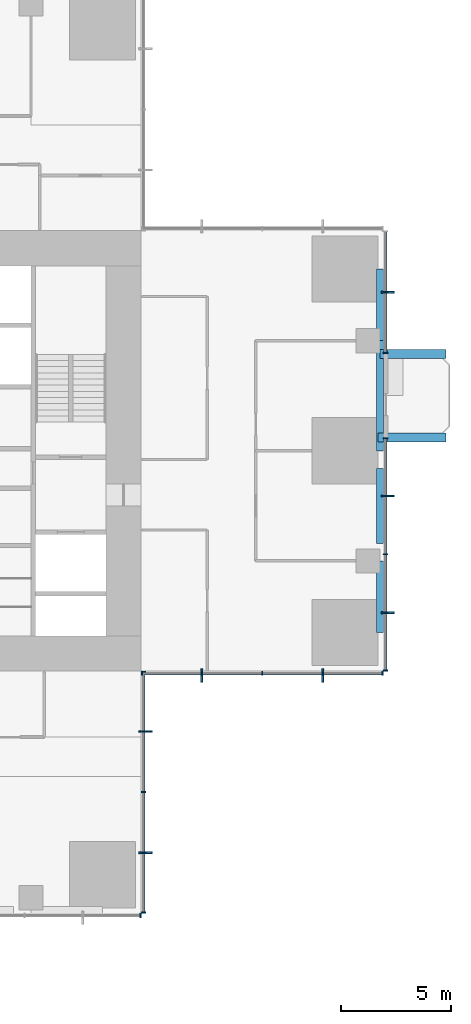
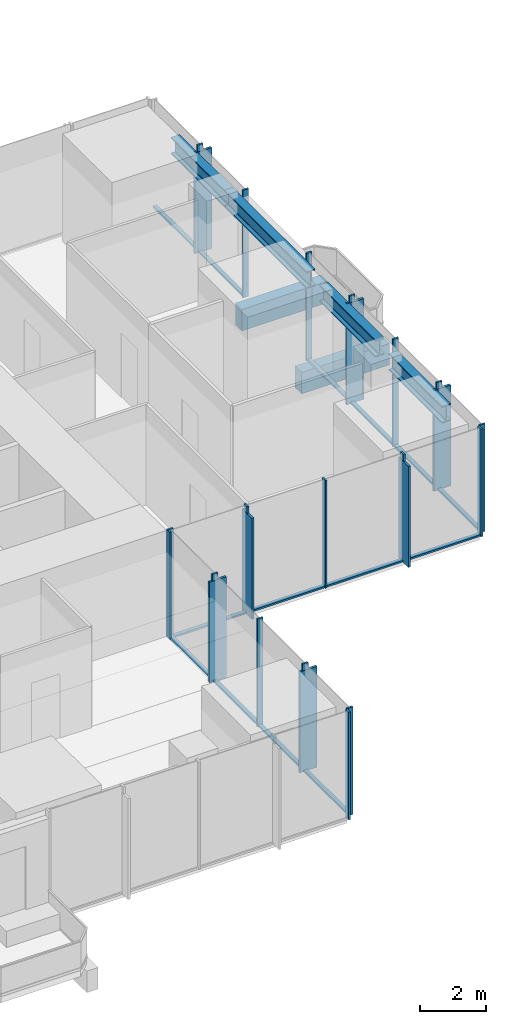
# One storey, part 4 of 13: 39 members, 6 beams, 5 elements without a shape of their own.
"""IFC4 building model written with IfcOpenShell, lengths in metres."""

import ifcopenshell
import ifcopenshell.guid

model = None  # the IFC model being written
_history = None  # IfcOwnerHistory: only IFC2X3 demands one
_inside = {}  # id of a spatial element -> (the spatial element, [elements in it])
_under = {}  # id of a project, library or spatial element -> (it, [spatial elements below it])
_declared = {}  # id of a project -> (the project, [libraries it declares])
_typed = {}  # id of a type object -> (the type object, [elements of that type])
_made_of = {}  # id of a material, layer set ... -> (it, [elements and type objects made of it])


def new_model(schema):
    """Start an empty IFC model of exactly this schema.

    Asked for "IFC4X3", IfcOpenShell would pick the latest addendum, in which some entities
    have other attributes; the version numbers below select the first issue.
    IFC2X3 requires an IfcOwnerHistory on every rooted entity: one is made here for all.
    """
    global model, _history
    if schema == "IFC4X3":
        model = ifcopenshell.file(schema_version=(4, 3, 0, 0))
    else:
        model = ifcopenshell.file(schema=schema)
    _inside.clear()
    _under.clear()
    _declared.clear()
    _typed.clear()
    _made_of.clear()
    _history = None
    if model.schema == "IFC2X3":
        org = make("IfcOrganization", Name="unknown")
        user = make(
            "IfcPersonAndOrganization",
            ThePerson=make("IfcPerson", FamilyName="unknown"),
            TheOrganization=org,
        )
        app = make(
            "IfcApplication",
            ApplicationDeveloper=org,
            Version="unknown",
            ApplicationFullName="unknown",
            ApplicationIdentifier="unknown",
        )
        _history = make(
            "IfcOwnerHistory",
            OwningUser=user,
            OwningApplication=app,
            ChangeAction="ADDED",
            CreationDate=0,
        )
    return model


def make(cls, **values):
    """One entity of the class cls with the attributes given. An attribute that is None is left unset."""
    return model.create_entity(
        cls, **{name: value for name, value in values.items() if value is not None}
    )


def rooted(cls, **values):
    """An entity with a GlobalId (a new one), such as an element, a storey or a relation."""
    return make(cls, GlobalId=ifcopenshell.guid.new(), OwnerHistory=_history, **values)


def si_unit(unit_type, name, prefix=None):
    """IfcSIUnit, for example si_unit("LENGTHUNIT", "METRE", prefix="MILLI")."""
    return make("IfcSIUnit", UnitType=unit_type, Prefix=prefix, Name=name)


def assignment(units):
    """IfcUnitAssignment: the units of a project."""
    return None if units is None else make("IfcUnitAssignment", Units=units)


def point(xyz):
    """IfcCartesianPoint."""
    return None if xyz is None else make("IfcCartesianPoint", Coordinates=xyz)


def direction(xyz):
    """IfcDirection."""
    return None if xyz is None else make("IfcDirection", DirectionRatios=xyz)


def frame(location, z_axis=None, x_axis=None):
    """IfcAxis2Placement3D, a coordinate frame: its origin and axes. An axis left out is left unset."""
    return make(
        "IfcAxis2Placement3D",
        Location=point(location),
        Axis=direction(z_axis),
        RefDirection=direction(x_axis),
    )


def frame_2d(location, x_axis=None):
    """IfcAxis2Placement2D, a coordinate frame in the plane: its origin and x axis."""
    return make(
        "IfcAxis2Placement2D", Location=point(location), RefDirection=direction(x_axis)
    )


def origin():
    """The frame at (0, 0, 0) with its axes left unset."""
    return frame((0.0, 0.0, 0.0))


def origin_2d():
    """The frame at (0, 0) in the plane with its x axis left unset."""
    return frame_2d((0.0, 0.0))


def place(relative_to, where):
    """IfcLocalPlacement: puts the frame where relative to a parent placement (None: the world)."""
    return make(
        "IfcLocalPlacement", PlacementRelTo=relative_to, RelativePlacement=where
    )


def context(
    kind, dimensions, precision=None, world=None, true_north=None, identifier=None
):
    """IfcGeometricRepresentationContext, for example the 3D "Model" context."""
    return make(
        "IfcGeometricRepresentationContext",
        ContextIdentifier=identifier,
        ContextType=kind,
        CoordinateSpaceDimension=dimensions,
        Precision=precision,
        WorldCoordinateSystem=world,
        TrueNorth=true_north,
    )


def subcontext(parent, identifier, kind, view, scale=None):
    """IfcGeometricRepresentationSubContext, for example "Body" below "Model"."""
    return make(
        "IfcGeometricRepresentationSubContext",
        ContextIdentifier=identifier,
        ContextType=kind,
        ParentContext=parent,
        TargetScale=scale,
        TargetView=view,
    )


def project(units=None, contexts=None):
    """IfcProject with its units and contexts."""
    return rooted(
        "IfcProject",
        Name="project",
        RepresentationContexts=contexts,
        UnitsInContext=assignment(units),
    )


def spatial(cls, under=None, at=None, **own):
    """A site, building, storey or space (cls), placed at a placement, below another one or the project."""
    s = rooted(cls, ObjectPlacement=at, **own)
    if under is not None:
        _under.setdefault(under.id(), (under, []))[1].append(s)
    return s


def profile(cls, at=None, kind="AREA", **sizes):
    """A parametric profile (cls). Its sizes go by their IFC names, for example OverallWidth=200.0."""
    return make(cls, ProfileType=kind, Position=at, **sizes)


def rectangle(**sizes):
    """IfcRectangleProfileDef."""
    return profile("IfcRectangleProfileDef", **sizes)


def i_section(**sizes):
    """IfcIShapeProfileDef."""
    return profile("IfcIShapeProfileDef", **sizes)


def extrude(swept, where, along, depth):
    """IfcExtrudedAreaSolid: the profile swept, set in the frame where, extruded along a direction by depth."""
    return make(
        "IfcExtrudedAreaSolid",
        SweptArea=swept,
        Position=where,
        ExtrudedDirection=direction(along),
        Depth=depth,
    )


def shape(context_of_items, identifier, shape_type, items):
    """IfcShapeRepresentation: the items that make up one representation, for example the "Body"."""
    return make(
        "IfcShapeRepresentation",
        ContextOfItems=context_of_items,
        RepresentationIdentifier=identifier,
        RepresentationType=shape_type,
        Items=items,
    )


def material(Name=None, Category=None):
    """IfcMaterial."""
    return make("IfcMaterial", Name=Name, Category=Category)


def material_profile(
    of_material, cross_section, Name=None, Category=None, Priority=None
):
    """IfcMaterialProfile: a cross section and its material."""
    return make(
        "IfcMaterialProfile",
        Name=Name,
        Material=of_material,
        Profile=cross_section,
        Priority=Priority,
        Category=Category,
    )


def profile_set(profiles, Name=None, composite=None):
    """IfcMaterialProfileSet."""
    return make(
        "IfcMaterialProfileSet",
        Name=Name,
        MaterialProfiles=profiles,
        CompositeProfile=composite,
    )


def made_of(thing, what):
    """Note that an element or type object is made of a material, layer set ...; save() writes the relation."""
    if what is not None:
        _made_of.setdefault(what.id(), (what, []))[1].append(thing)
    return thing


def type_object(cls, material=None, **own):
    """A type object (cls), such as IfcWallType, which elements share."""
    return made_of(rooted(cls, **own), material)


def element(
    cls,
    number,
    at=None,
    inside=None,
    cuts=None,
    type_object=None,
    material=None,
    context=None,
    identifier="Body",
    shape_type=None,
    held_by="IfcProductDefinitionShape",
    body=None,
    shapes=None,
    **own,
):
    """One element of the class cls, such as IfcWall. Its Tag is "e" and its number.

    at: its placement. inside: the storey or other place that contains it. cuts: it is an
    opening in that element (IfcRelVoidsElement). A single representation is given by context,
    identifier, shape_type and body (its items); several are given by shapes. held_by: the class
    of the entity that holds the representations. save() writes the other relations.
    """
    e = rooted(cls, Tag="e%d" % number, ObjectPlacement=at, **own)
    if body is not None:
        shapes = [shape(context, identifier, shape_type, body)]
    if shapes is not None:
        e.Representation = make(held_by, Representations=shapes)
    if inside is not None:
        _inside.setdefault(inside.id(), (inside, []))[1].append(e)
    if cuts is not None:
        rooted(
            "IfcRelVoidsElement", RelatingBuildingElement=cuts, RelatedOpeningElement=e
        )
    if type_object is not None:
        _typed.setdefault(type_object.id(), (type_object, []))[1].append(e)
    return made_of(e, material)


def aggregate(whole, parts):
    """IfcRelAggregates: a whole, such as a stair, and the parts it consists of."""
    return rooted("IfcRelAggregates", RelatingObject=whole, RelatedObjects=parts)


def save(model, path):
    """Write the relations noted so far, then the file.

    IfcRelAggregates (storeys below a building ...), IfcRelContainedInSpatialStructure (elements
    in a storey), IfcRelDefinesByType, IfcRelAssociatesMaterial and IfcRelDeclares: one each for
    every whole, place, type object, material and project.
    """
    for whole, parts in _under.values():
        aggregate(whole, parts)
    for where, things in _inside.values():
        rooted(
            "IfcRelContainedInSpatialStructure",
            RelatedElements=things,
            RelatingStructure=where,
        )
    for kind, things in _typed.values():
        rooted("IfcRelDefinesByType", RelatedObjects=things, RelatingType=kind)
    for what, things in _made_of.values():
        rooted("IfcRelAssociatesMaterial", RelatedObjects=things, RelatingMaterial=what)
    for by, libraries in _declared.values():
        rooted("IfcRelDeclares", RelatingContext=by, RelatedDefinitions=libraries)
    model.write(path)


model = new_model("IFC4")

# Units and contexts
model_context = context("Model", 3, precision=1e-05, world=origin(), true_north=direction((0.0, 1.0)))
body_context = subcontext(model_context, "Body", "Model", "MODEL_VIEW")
ifc_project = project(units=[si_unit("LENGTHUNIT", "METRE"), si_unit("AREAUNIT", "SQUARE_METRE"), si_unit("VOLUMEUNIT", "CUBIC_METRE"), si_unit("PLANEANGLEUNIT", "RADIAN"), si_unit("MASSUNIT", "GRAM", prefix="KILO")], contexts=[model_context])

# Site, building, storey
site_placement = place(None, origin())
site = spatial("IfcSite", under=ifc_project, at=site_placement, CompositionType="ELEMENT")
building_placement = place(site_placement, origin())
building = spatial("IfcBuilding", under=site, at=building_placement, Name="Svetlomir Tower", CompositionType="ELEMENT")
storey_placement = place(building_placement, frame((0.0, 0.0, 140.5)))
storey = spatial("IfcBuildingStorey", under=building, at=storey_placement, Name="L33", CompositionType="ELEMENT", Elevation=140.5)

# Beams
ifc_material_1 = material(Name="Concrete C60/75", Category="concrete")
ifc_material_profile_1 = material_profile(ifc_material_1, rectangle(XDim=0.39990234375, YDim=0.800048828125, at=origin_2d()), Name="RC 400x800")
ifc_profile_set_1 = profile_set([ifc_material_profile_1], Name="Concrete C60/75")
beam_type_1 = type_object("IfcBeamType", Name="BALCONY RIB RC 400x800", PredefinedType="BEAM", material=ifc_profile_set_1)
beam_1_placement = place(storey_placement, frame((41.75, 21.60009765625, -0.64990234375), z_axis=(1.0, 0.0, 0.0), x_axis=(0.0, 1.0, 0.0)))
element("IfcBeam", 1, at=beam_1_placement, inside=storey, type_object=beam_type_1, Name="Balcony rib E 1 L33", PredefinedType="BEAM", context=body_context, shape_type="SweptSolid", body=[
    extrude(rectangle(XDim=0.39990234375, YDim=0.800048828125, at=origin_2d()), origin(), (0.0, 0.0, 1.0), 3.10009765625),
])
beam_2_placement = place(storey_placement, frame((41.85009765625, 25.39990234375, -0.64990234375), z_axis=(1.0, 0.0, 0.0), x_axis=(0.0, 1.0, 0.0)))
element("IfcBeam", 2, at=beam_2_placement, inside=storey, type_object=beam_type_1, Name="Balcony rib E 2 L33", PredefinedType="BEAM", context=body_context, shape_type="SweptSolid", body=[
    extrude(rectangle(XDim=0.39990234375, YDim=0.800048828125, at=origin_2d()), origin(), (0.0, 0.0, 1.0), 3.0),
])

# Curtain wall, members
ifc_material_2 = material(Name="Bronze anodised aluminium curtain wall", Category="aluminium")
curtain_wall_type = type_object("IfcCurtainWallType", Name="CURTAIN WALL CW1 TOWER OFFICE", PredefinedType="NOTDEFINED", material=ifc_material_2)
curtain_wall_1_placement = place(storey_placement, origin())
curtain_wall_1 = element("IfcCurtainWall", 3, at=curtain_wall_1_placement, inside=storey, type_object=curtain_wall_type, Name="Curtain wall CW1 L33", PredefinedType="NOTDEFINED")
ifc_material_3 = material(Name="Bronze anodised aluminium", Category="aluminium")
ifc_material_profile_2 = material_profile(ifc_material_3, rectangle(XDim=0.080078125, YDim=0.60009765625, at=origin_2d()), Name="FIN 80x600")
ifc_profile_set_2 = profile_set([ifc_material_profile_2], Name="Bronze anodised aluminium 6063-T6")
member_type_1 = type_object("IfcMemberType", Name="BRONZE FIN 80x600", PredefinedType="USERDEFINED", material=ifc_profile_set_2)
member_1_placement = place(storey_placement, frame((31.199951171875, 2.75, 0.0), z_axis=(0.0, 0.0, 1.0), x_axis=(0.0, 1.0, 0.0)))
member_1 = element("IfcMember", 4, at=member_1_placement, type_object=member_type_1, Name="Bronze fin L33", ObjectType="FIN", PredefinedType="USERDEFINED", context=body_context, shape_type="SweptSolid", body=[
    extrude(rectangle(XDim=0.080078125, YDim=0.60009765625, at=origin_2d()), origin(), (0.0, 0.0, 1.0), 3.75),
])
member_2_placement = place(storey_placement, frame((31.199951171875, 8.25, 0.0), z_axis=(0.0, 0.0, 1.0), x_axis=(0.0, 1.0, 0.0)))
member_2 = element("IfcMember", 5, at=member_2_placement, type_object=member_type_1, Name="Bronze fin L33", ObjectType="FIN", PredefinedType="USERDEFINED", context=body_context, shape_type="SweptSolid", body=[
    extrude(rectangle(XDim=0.080078125, YDim=0.60009765625, at=origin_2d()), origin(), (0.0, 0.0, 1.0), 3.75),
])

curtain_wall_2_placement = place(storey_placement, origin())
curtain_wall_2 = element("IfcCurtainWall", 6, at=curtain_wall_2_placement, inside=storey, type_object=curtain_wall_type, Name="Curtain wall CW1 L33", PredefinedType="NOTDEFINED")
member_3_placement = place(storey_placement, frame((33.75, 10.800048828125, 0.0), z_axis=(0.0, 0.0, 1.0), x_axis=(1.0, 0.0, 0.0)))
member_3 = element("IfcMember", 7, at=member_3_placement, type_object=member_type_1, Name="Bronze fin L33", ObjectType="FIN", PredefinedType="USERDEFINED", context=body_context, shape_type="SweptSolid", body=[
    extrude(rectangle(XDim=0.080078125, YDim=0.60009765625, at=origin_2d()), origin(), (0.0, 0.0, 1.0), 3.75),
])
member_4_placement = place(storey_placement, frame((39.25, 10.800048828125, 0.0), z_axis=(0.0, 0.0, 1.0), x_axis=(1.0, 0.0, 0.0)))
member_4 = element("IfcMember", 8, at=member_4_placement, type_object=member_type_1, Name="Bronze fin L33", ObjectType="FIN", PredefinedType="USERDEFINED", context=body_context, shape_type="SweptSolid", body=[
    extrude(rectangle(XDim=0.080078125, YDim=0.60009765625, at=origin_2d()), origin(), (0.0, 0.0, 1.0), 3.75),
])

curtain_wall_3_placement = place(storey_placement, origin())
curtain_wall_3 = element("IfcCurtainWall", 9, at=curtain_wall_3_placement, inside=storey, type_object=curtain_wall_type, Name="Curtain wall CW1 L33", PredefinedType="NOTDEFINED")
member_5_placement = place(storey_placement, frame((42.199951171875, 13.64990234375, 0.0), z_axis=(0.0, 0.0, 1.0), x_axis=(0.0, 1.0, 0.0)))
member_5 = element("IfcMember", 10, at=member_5_placement, type_object=member_type_1, Name="Bronze fin L33", ObjectType="FIN", PredefinedType="USERDEFINED", context=body_context, shape_type="SweptSolid", body=[
    extrude(rectangle(XDim=0.080078125, YDim=0.60009765625, at=origin_2d()), origin(), (0.0, 0.0, 1.0), 3.75),
])
member_6_placement = place(storey_placement, frame((42.199951171875, 18.949951171875, 0.0), z_axis=(0.0, 0.0, 1.0), x_axis=(0.0, 1.0, 0.0)))
member_6 = element("IfcMember", 11, at=member_6_placement, type_object=member_type_1, Name="Bronze fin L33", ObjectType="FIN", PredefinedType="USERDEFINED", context=body_context, shape_type="SweptSolid", body=[
    extrude(rectangle(XDim=0.080078125, YDim=0.60009765625, at=origin_2d()), origin(), (0.0, 0.0, 1.0), 3.75),
])

# Curtain wall, member
curtain_wall_4_placement = place(storey_placement, origin())
curtain_wall_4 = element("IfcCurtainWall", 12, at=curtain_wall_4_placement, inside=storey, type_object=curtain_wall_type, Name="Curtain wall CW1 L33", PredefinedType="NOTDEFINED")
member_7_placement = place(storey_placement, frame((42.199951171875, 28.199951171875, 0.0), z_axis=(0.0, 0.0, 1.0), x_axis=(0.0, 1.0, 0.0)))
member_7 = element("IfcMember", 13, at=member_7_placement, type_object=member_type_1, Name="Bronze fin L33", ObjectType="FIN", PredefinedType="USERDEFINED", context=body_context, shape_type="SweptSolid", body=[
    extrude(rectangle(XDim=0.080078125, YDim=0.60009765625, at=origin_2d()), origin(), (0.0, 0.0, 1.0), 3.75),
])

curtain_wall_5_placement = place(storey_placement, origin())
curtain_wall_5 = element("IfcCurtainWall", 14, at=curtain_wall_5_placement, inside=storey, type_object=curtain_wall_type, Name="Curtain wall CW1 L33", PredefinedType="NOTDEFINED")
ifc_material_4 = material(Name="Bronze anodised aluminium", Category="aluminium")
ifc_material_profile_3 = material_profile(ifc_material_4, rectangle(XDim=0.06494140625, YDim=0.199951171875, at=origin_2d()), Name="AL 65x200")
ifc_profile_set_3 = profile_set([ifc_material_profile_3], Name="Bronze anodised aluminium 6063-T6")
member_type_2 = type_object("IfcMemberType", Name="CW1 MULLION 65x200", PredefinedType="MULLION", material=ifc_profile_set_3)
member_8_placement = place(storey_placement, frame((30.967529296875, -0.10009765625, 0.0), z_axis=(0.0, 0.0, 1.0), x_axis=(1.0, 0.0, 0.0)))
member_8 = element("IfcMember", 15, at=member_8_placement, type_object=member_type_2, Name="CW1 mullion 5", PredefinedType="MULLION", context=body_context, shape_type="SweptSolid", body=[
    extrude(rectangle(XDim=0.06494140625, YDim=0.199951171875, at=origin_2d()), origin(), (0.0, 0.0, 1.0), 4.0),
])
aggregate(curtain_wall_5, [member_8])

# Member
member_9_placement = place(storey_placement, frame((31.10009765625, 0.032470703125, 0.0), z_axis=(0.0, 0.0, 1.0), x_axis=(0.0, 1.0, 0.0)))
member_9 = element("IfcMember", 16, at=member_9_placement, type_object=member_type_2, Name="CW1 mullion 1", PredefinedType="MULLION", context=body_context, shape_type="SweptSolid", body=[
    extrude(rectangle(XDim=0.06494140625, YDim=0.199951171875, at=origin_2d()), origin(), (0.0, 0.0, 1.0), 4.0),
])

member_10_placement = place(storey_placement, frame((31.10009765625, 2.75, 0.0), z_axis=(0.0, 0.0, 1.0), x_axis=(0.0, 1.0, 0.0)))
member_10 = element("IfcMember", 17, at=member_10_placement, type_object=member_type_2, Name="CW1 mullion 2", PredefinedType="MULLION", context=body_context, shape_type="SweptSolid", body=[
    extrude(rectangle(XDim=0.06494140625, YDim=0.199951171875, at=origin_2d()), origin(), (0.0, 0.0, 1.0), 4.0),
])

member_11_placement = place(storey_placement, frame((31.10009765625, 5.5, 0.0), z_axis=(0.0, 0.0, 1.0), x_axis=(0.0, 1.0, 0.0)))
member_11 = element("IfcMember", 18, at=member_11_placement, type_object=member_type_2, Name="CW1 mullion 3", PredefinedType="MULLION", context=body_context, shape_type="SweptSolid", body=[
    extrude(rectangle(XDim=0.06494140625, YDim=0.199951171875, at=origin_2d()), origin(), (0.0, 0.0, 1.0), 4.0),
])

member_12_placement = place(storey_placement, frame((31.10009765625, 8.25, 0.0), z_axis=(0.0, 0.0, 1.0), x_axis=(0.0, 1.0, 0.0)))
member_12 = element("IfcMember", 19, at=member_12_placement, type_object=member_type_2, Name="CW1 mullion 4", PredefinedType="MULLION", context=body_context, shape_type="SweptSolid", body=[
    extrude(rectangle(XDim=0.06494140625, YDim=0.199951171875, at=origin_2d()), origin(), (0.0, 0.0, 1.0), 4.0),
])

member_13_placement = place(storey_placement, frame((31.10009765625, 10.967529296875, 0.0), z_axis=(0.0, 0.0, 1.0), x_axis=(0.0, 1.0, 0.0)))
member_13 = element("IfcMember", 20, at=member_13_placement, type_object=member_type_2, Name="CW1 mullion 5", PredefinedType="MULLION", context=body_context, shape_type="SweptSolid", body=[
    extrude(rectangle(XDim=0.06494140625, YDim=0.199951171875, at=origin_2d()), origin(), (0.0, 0.0, 1.0), 4.0),
])

member_14_placement = place(storey_placement, frame((31.032470703125, 10.89990234375, 0.0), z_axis=(0.0, 0.0, 1.0), x_axis=(1.0, 0.0, 0.0)))
member_14 = element("IfcMember", 21, at=member_14_placement, type_object=member_type_2, Name="CW1 mullion 1", PredefinedType="MULLION", context=body_context, shape_type="SweptSolid", body=[
    extrude(rectangle(XDim=0.06494140625, YDim=0.199951171875, at=origin_2d()), origin(), (0.0, 0.0, 1.0), 4.0),
])

member_15_placement = place(storey_placement, frame((33.75, 10.89990234375, 0.0), z_axis=(0.0, 0.0, 1.0), x_axis=(1.0, 0.0, 0.0)))
member_15 = element("IfcMember", 22, at=member_15_placement, type_object=member_type_2, Name="CW1 mullion 2", PredefinedType="MULLION", context=body_context, shape_type="SweptSolid", body=[
    extrude(rectangle(XDim=0.06494140625, YDim=0.199951171875, at=origin_2d()), origin(), (0.0, 0.0, 1.0), 4.0),
])

member_16_placement = place(storey_placement, frame((36.5, 10.89990234375, 0.0), z_axis=(0.0, 0.0, 1.0), x_axis=(1.0, 0.0, 0.0)))
member_16 = element("IfcMember", 23, at=member_16_placement, type_object=member_type_2, Name="CW1 mullion 3", PredefinedType="MULLION", context=body_context, shape_type="SweptSolid", body=[
    extrude(rectangle(XDim=0.06494140625, YDim=0.199951171875, at=origin_2d()), origin(), (0.0, 0.0, 1.0), 4.0),
])

member_17_placement = place(storey_placement, frame((39.25, 10.89990234375, 0.0), z_axis=(0.0, 0.0, 1.0), x_axis=(1.0, 0.0, 0.0)))
member_17 = element("IfcMember", 24, at=member_17_placement, type_object=member_type_2, Name="CW1 mullion 4", PredefinedType="MULLION", context=body_context, shape_type="SweptSolid", body=[
    extrude(rectangle(XDim=0.06494140625, YDim=0.199951171875, at=origin_2d()), origin(), (0.0, 0.0, 1.0), 4.0),
])

member_18_placement = place(storey_placement, frame((41.967529296875, 10.89990234375, 0.0), z_axis=(0.0, 0.0, 1.0), x_axis=(1.0, 0.0, 0.0)))
member_18 = element("IfcMember", 25, at=member_18_placement, type_object=member_type_2, Name="CW1 mullion 5", PredefinedType="MULLION", context=body_context, shape_type="SweptSolid", body=[
    extrude(rectangle(XDim=0.06494140625, YDim=0.199951171875, at=origin_2d()), origin(), (0.0, 0.0, 1.0), 4.0),
])

member_19_placement = place(storey_placement, frame((42.10009765625, 11.032470703125, 0.0), z_axis=(0.0, 0.0, 1.0), x_axis=(0.0, 1.0, 0.0)))
member_19 = element("IfcMember", 26, at=member_19_placement, type_object=member_type_2, Name="CW1 mullion 1", PredefinedType="MULLION", context=body_context, shape_type="SweptSolid", body=[
    extrude(rectangle(XDim=0.06494140625, YDim=0.199951171875, at=origin_2d()), origin(), (0.0, 0.0, 1.0), 4.0),
])

member_20_placement = place(storey_placement, frame((42.10009765625, 13.64990234375, 0.0), z_axis=(0.0, 0.0, 1.0), x_axis=(0.0, 1.0, 0.0)))
member_20 = element("IfcMember", 27, at=member_20_placement, type_object=member_type_2, Name="CW1 mullion 2", PredefinedType="MULLION", context=body_context, shape_type="SweptSolid", body=[
    extrude(rectangle(XDim=0.06494140625, YDim=0.199951171875, at=origin_2d()), origin(), (0.0, 0.0, 1.0), 4.0),
])

member_21_placement = place(storey_placement, frame((42.10009765625, 16.300048828125, 0.0), z_axis=(0.0, 0.0, 1.0), x_axis=(0.0, 1.0, 0.0)))
member_21 = element("IfcMember", 28, at=member_21_placement, type_object=member_type_2, Name="CW1 mullion 3", PredefinedType="MULLION", context=body_context, shape_type="SweptSolid", body=[
    extrude(rectangle(XDim=0.06494140625, YDim=0.199951171875, at=origin_2d()), origin(), (0.0, 0.0, 1.0), 4.0),
])

member_22_placement = place(storey_placement, frame((42.10009765625, 18.949951171875, 0.0), z_axis=(0.0, 0.0, 1.0), x_axis=(0.0, 1.0, 0.0)))
member_22 = element("IfcMember", 29, at=member_22_placement, type_object=member_type_2, Name="CW1 mullion 4", PredefinedType="MULLION", context=body_context, shape_type="SweptSolid", body=[
    extrude(rectangle(XDim=0.06494140625, YDim=0.199951171875, at=origin_2d()), origin(), (0.0, 0.0, 1.0), 4.0),
])

member_23_placement = place(storey_placement, frame((42.10009765625, 21.5673828125, 0.0), z_axis=(0.0, 0.0, 1.0), x_axis=(0.0, 1.0, 0.0)))
member_23 = element("IfcMember", 30, at=member_23_placement, type_object=member_type_2, Name="CW1 mullion 5", PredefinedType="MULLION", context=body_context, shape_type="SweptSolid", body=[
    extrude(rectangle(XDim=0.06494140625, YDim=0.199951171875, at=origin_2d()), origin(), (0.0, 0.0, 1.0), 4.0),
])

member_24_placement = place(storey_placement, frame((42.10009765625, 25.4326171875, 0.0), z_axis=(0.0, 0.0, 1.0), x_axis=(0.0, 1.0, 0.0)))
member_24 = element("IfcMember", 31, at=member_24_placement, type_object=member_type_2, Name="CW1 mullion 1", PredefinedType="MULLION", context=body_context, shape_type="SweptSolid", body=[
    extrude(rectangle(XDim=0.06494140625, YDim=0.199951171875, at=origin_2d()), origin(), (0.0, 0.0, 1.0), 4.0),
])

member_25_placement = place(storey_placement, frame((42.10009765625, 28.199951171875, 0.0), z_axis=(0.0, 0.0, 1.0), x_axis=(0.0, 1.0, 0.0)))
member_25 = element("IfcMember", 32, at=member_25_placement, type_object=member_type_2, Name="CW1 mullion 2", PredefinedType="MULLION", context=body_context, shape_type="SweptSolid", body=[
    extrude(rectangle(XDim=0.06494140625, YDim=0.199951171875, at=origin_2d()), origin(), (0.0, 0.0, 1.0), 4.0),
])

ifc_material_5 = material(Name="Bronze anodised aluminium", Category="aluminium")
ifc_material_profile_4 = material_profile(ifc_material_5, rectangle(XDim=0.139892578125, YDim=0.06494140625, at=origin_2d()), Name="AL 140x65")
ifc_profile_set_4 = profile_set([ifc_material_profile_4], Name="Bronze anodised aluminium 6063-T6")
member_type_3 = type_object("IfcMemberType", Name="CW1 TRANSOM 65x140", PredefinedType="USERDEFINED", material=ifc_profile_set_4)
member_26_placement = place(storey_placement, frame((31.10009765625, 0.06494140625, 0.032470703125), z_axis=(0.0, 1.0, 0.0), x_axis=(-1.0, 0.0, 0.0)))
member_26 = element("IfcMember", 33, at=member_26_placement, type_object=member_type_3, Name="CW1 transom 1.1", ObjectType="TRANSOM", PredefinedType="USERDEFINED", context=body_context, shape_type="SweptSolid", body=[
    extrude(rectangle(XDim=0.139892578125, YDim=0.06494140625, at=origin_2d()), origin(), (0.0, 0.0, 1.0), 2.652587890625),
])

member_27_placement = place(storey_placement, frame((31.10009765625, 2.782470703125, 0.032470703125), z_axis=(0.0, 1.0, 0.0), x_axis=(-1.0, 0.0, 0.0)))
member_27 = element("IfcMember", 34, at=member_27_placement, type_object=member_type_3, Name="CW1 transom 2.1", ObjectType="TRANSOM", PredefinedType="USERDEFINED", context=body_context, shape_type="SweptSolid", body=[
    extrude(rectangle(XDim=0.139892578125, YDim=0.06494140625, at=origin_2d()), origin(), (0.0, 0.0, 1.0), 2.68505859375),
])

member_28_placement = place(storey_placement, frame((31.10009765625, 5.532470703125, 0.032470703125), z_axis=(0.0, 1.0, 0.0), x_axis=(-1.0, 0.0, 0.0)))
member_28 = element("IfcMember", 35, at=member_28_placement, type_object=member_type_3, Name="CW1 transom 3.1", ObjectType="TRANSOM", PredefinedType="USERDEFINED", context=body_context, shape_type="SweptSolid", body=[
    extrude(rectangle(XDim=0.139892578125, YDim=0.06494140625, at=origin_2d()), origin(), (0.0, 0.0, 1.0), 2.68505859375),
])

member_29_placement = place(storey_placement, frame((31.10009765625, 8.282470703125, 0.032470703125), z_axis=(0.0, 1.0, 0.0), x_axis=(-1.0, 0.0, 0.0)))
member_29 = element("IfcMember", 36, at=member_29_placement, type_object=member_type_3, Name="CW1 transom 4.1", ObjectType="TRANSOM", PredefinedType="USERDEFINED", context=body_context, shape_type="SweptSolid", body=[
    extrude(rectangle(XDim=0.139892578125, YDim=0.06494140625, at=origin_2d()), origin(), (0.0, 0.0, 1.0), 2.652587890625),
])

aggregate(curtain_wall_1, [member_9, member_10, member_11, member_12, member_13, member_26, member_27, member_28, member_29, member_1, member_2])

member_30_placement = place(storey_placement, frame((31.06494140625, 10.89990234375, 0.032470703125), z_axis=(1.0, 0.0, 0.0), x_axis=(0.0, 1.0, 0.0)))
member_30 = element("IfcMember", 37, at=member_30_placement, type_object=member_type_3, Name="CW1 transom 1.1", ObjectType="TRANSOM", PredefinedType="USERDEFINED", context=body_context, shape_type="SweptSolid", body=[
    extrude(rectangle(XDim=0.139892578125, YDim=0.06494140625, at=origin_2d()), origin(), (0.0, 0.0, 1.0), 2.652587890625),
])

member_31_placement = place(storey_placement, frame((33.782470703125, 10.89990234375, 0.032470703125), z_axis=(1.0, 0.0, 0.0), x_axis=(0.0, 1.0, 0.0)))
member_31 = element("IfcMember", 38, at=member_31_placement, type_object=member_type_3, Name="CW1 transom 2.1", ObjectType="TRANSOM", PredefinedType="USERDEFINED", context=body_context, shape_type="SweptSolid", body=[
    extrude(rectangle(XDim=0.139892578125, YDim=0.06494140625, at=origin_2d()), origin(), (0.0, 0.0, 1.0), 2.68505859375),
])

member_32_placement = place(storey_placement, frame((36.532470703125, 10.89990234375, 0.032470703125), z_axis=(1.0, 0.0, 0.0), x_axis=(0.0, 1.0, 0.0)))
member_32 = element("IfcMember", 39, at=member_32_placement, type_object=member_type_3, Name="CW1 transom 3.1", ObjectType="TRANSOM", PredefinedType="USERDEFINED", context=body_context, shape_type="SweptSolid", body=[
    extrude(rectangle(XDim=0.139892578125, YDim=0.06494140625, at=origin_2d()), origin(), (0.0, 0.0, 1.0), 2.68505859375),
])

member_33_placement = place(storey_placement, frame((39.282470703125, 10.89990234375, 0.032470703125), z_axis=(1.0, 0.0, 0.0), x_axis=(0.0, 1.0, 0.0)))
member_33 = element("IfcMember", 40, at=member_33_placement, type_object=member_type_3, Name="CW1 transom 4.1", ObjectType="TRANSOM", PredefinedType="USERDEFINED", context=body_context, shape_type="SweptSolid", body=[
    extrude(rectangle(XDim=0.139892578125, YDim=0.06494140625, at=origin_2d()), origin(), (0.0, 0.0, 1.0), 2.652587890625),
])

aggregate(curtain_wall_2, [member_14, member_15, member_16, member_17, member_18, member_30, member_31, member_32, member_33, member_3, member_4])

member_34_placement = place(storey_placement, frame((42.10009765625, 11.06494140625, 0.032470703125), z_axis=(0.0, 1.0, 0.0), x_axis=(-1.0, 0.0, 0.0)))
member_34 = element("IfcMember", 41, at=member_34_placement, type_object=member_type_3, Name="CW1 transom 1.1", ObjectType="TRANSOM", PredefinedType="USERDEFINED", context=body_context, shape_type="SweptSolid", body=[
    extrude(rectangle(XDim=0.139892578125, YDim=0.06494140625, at=origin_2d()), origin(), (0.0, 0.0, 1.0), 2.552490234375),
])

member_35_placement = place(storey_placement, frame((42.10009765625, 13.6826171875, 0.032470703125), z_axis=(0.0, 1.0, 0.0), x_axis=(-1.0, 0.0, 0.0)))
member_35 = element("IfcMember", 42, at=member_35_placement, type_object=member_type_3, Name="CW1 transom 2.1", ObjectType="TRANSOM", PredefinedType="USERDEFINED", context=body_context, shape_type="SweptSolid", body=[
    extrude(rectangle(XDim=0.139892578125, YDim=0.06494140625, at=origin_2d()), origin(), (0.0, 0.0, 1.0), 2.5849609375),
])

member_36_placement = place(storey_placement, frame((42.10009765625, 16.33251953125, 0.032470703125), z_axis=(0.0, 1.0, 0.0), x_axis=(-1.0, 0.0, 0.0)))
member_36 = element("IfcMember", 43, at=member_36_placement, type_object=member_type_3, Name="CW1 transom 3.1", ObjectType="TRANSOM", PredefinedType="USERDEFINED", context=body_context, shape_type="SweptSolid", body=[
    extrude(rectangle(XDim=0.139892578125, YDim=0.06494140625, at=origin_2d()), origin(), (0.0, 0.0, 1.0), 2.5849609375),
])

member_37_placement = place(storey_placement, frame((42.10009765625, 18.982421875, 0.032470703125), z_axis=(0.0, 1.0, 0.0), x_axis=(-1.0, 0.0, 0.0)))
member_37 = element("IfcMember", 44, at=member_37_placement, type_object=member_type_3, Name="CW1 transom 4.1", ObjectType="TRANSOM", PredefinedType="USERDEFINED", context=body_context, shape_type="SweptSolid", body=[
    extrude(rectangle(XDim=0.139892578125, YDim=0.06494140625, at=origin_2d()), origin(), (0.0, 0.0, 1.0), 2.552490234375),
])

aggregate(curtain_wall_3, [member_19, member_20, member_21, member_22, member_23, member_34, member_35, member_36, member_37, member_5, member_6])

member_38_placement = place(storey_placement, frame((42.10009765625, 25.465087890625, 0.032470703125), z_axis=(0.0, 1.0, 0.0), x_axis=(-1.0, 0.0, 0.0)))
member_38 = element("IfcMember", 45, at=member_38_placement, type_object=member_type_3, Name="CW1 transom 1.1", ObjectType="TRANSOM", PredefinedType="USERDEFINED", context=body_context, shape_type="SweptSolid", body=[
    extrude(rectangle(XDim=0.139892578125, YDim=0.06494140625, at=origin_2d()), origin(), (0.0, 0.0, 1.0), 2.702392578125),
])

member_39_placement = place(storey_placement, frame((42.10009765625, 28.232421875, 0.032470703125), z_axis=(0.0, 1.0, 0.0), x_axis=(-1.0, 0.0, 0.0)))
member_39 = element("IfcMember", 46, at=member_39_placement, type_object=member_type_3, Name="CW1 transom 2.1", ObjectType="TRANSOM", PredefinedType="USERDEFINED", context=body_context, shape_type="SweptSolid", body=[
    extrude(rectangle(XDim=0.139892578125, YDim=0.06494140625, at=origin_2d()), origin(), (0.0, 0.0, 1.0), 2.70263671875),
])

aggregate(curtain_wall_4, [member_24, member_25, member_38, member_39, member_7])

# Beams
ifc_material_6 = material(Name="Steel S355", Category="steel")
ifc_material_profile_5 = material_profile(ifc_material_6, i_section(OverallWidth=0.304931640625, OverallDepth=0.6201171875, WebThickness=0.02099609375, FlangeThickness=0.0400390625, FilletRadius=0.027099609375, at=origin_2d()), Name="HEM 600")
ifc_profile_set_5 = profile_set([ifc_material_profile_5], Name="Steel S355")
beam_type_2 = type_object("IfcBeamType", Name="EDGE BEAM HEM 600", PredefinedType="SPANDREL", material=ifc_profile_set_5)
beam_3_placement = place(storey_placement, frame((41.847412109375, 12.75, 3.43994140625), z_axis=(0.0, 1.0, 0.0), x_axis=(-1.0, 0.0, 0.0)))
element("IfcBeam", 47, at=beam_3_placement, inside=storey, type_object=beam_type_2, Name="Edge beam 42/11 to 42/16 under L34", PredefinedType="SPANDREL", context=body_context, shape_type="SweptSolid", body=[
    extrude(i_section(OverallWidth=0.304931640625, OverallDepth=0.6201171875, WebThickness=0.02099609375, FlangeThickness=0.0400390625, FilletRadius=0.027099609375, at=origin_2d()), origin(), (0.0, 0.0, 1.0), 3.25),
])
beam_4_placement = place(storey_placement, frame((41.847412109375, 16.800048828125, 3.43994140625), z_axis=(0.0, 1.0, 0.0), x_axis=(-1.0, 0.0, 0.0)))
element("IfcBeam", 48, at=beam_4_placement, inside=storey, type_object=beam_type_2, Name="Edge beam 42/16 to 42/21 under L34", PredefinedType="SPANDREL", context=body_context, shape_type="SweptSolid", body=[
    extrude(i_section(OverallWidth=0.304931640625, OverallDepth=0.6201171875, WebThickness=0.02099609375, FlangeThickness=0.0400390625, FilletRadius=0.027099609375, at=origin_2d()), origin(), (0.0, 0.0, 1.0), 3.39990234375),
])
beam_5_placement = place(storey_placement, frame((41.847412109375, 21.0, 3.43994140625), z_axis=(0.0, 1.0, 0.0), x_axis=(-1.0, 0.0, 0.0)))
element("IfcBeam", 49, at=beam_5_placement, inside=storey, type_object=beam_type_2, Name="Edge beam 42/21 to 42/26 under L34", PredefinedType="SPANDREL", context=body_context, shape_type="SweptSolid", body=[
    extrude(i_section(OverallWidth=0.304931640625, OverallDepth=0.6201171875, WebThickness=0.02099609375, FlangeThickness=0.0400390625, FilletRadius=0.027099609375, at=origin_2d()), origin(), (0.0, 0.0, 1.0), 5.0),
])
beam_6_placement = place(storey_placement, frame((41.847412109375, 26.0, 3.43994140625), z_axis=(0.0, 1.0, 0.0), x_axis=(-1.0, 0.0, 0.0)))
element("IfcBeam", 50, at=beam_6_placement, inside=storey, type_object=beam_type_2, Name="Edge beam 42/26 to 42/31 under L34", PredefinedType="SPANDREL", context=body_context, shape_type="SweptSolid", body=[
    extrude(i_section(OverallWidth=0.304931640625, OverallDepth=0.6201171875, WebThickness=0.02099609375, FlangeThickness=0.0400390625, FilletRadius=0.027099609375, at=origin_2d()), origin(), (0.0, 0.0, 1.0), 3.25),
])

save(model, "model.ifc")
